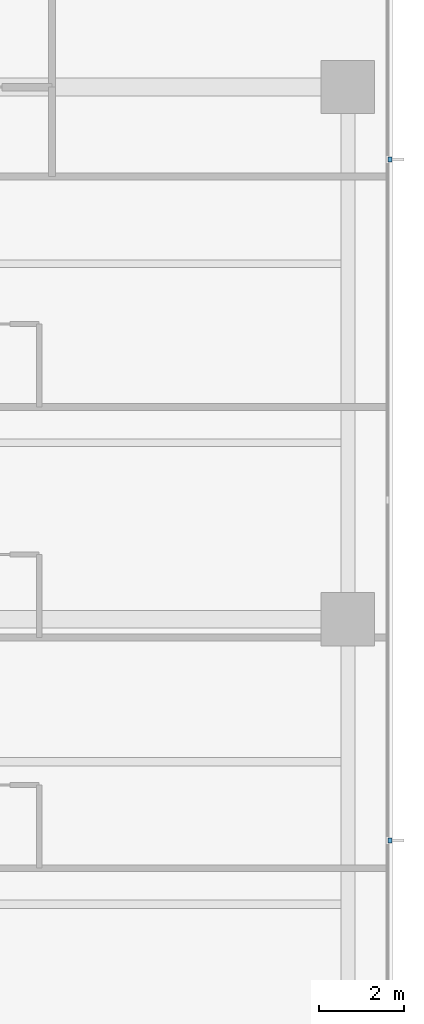
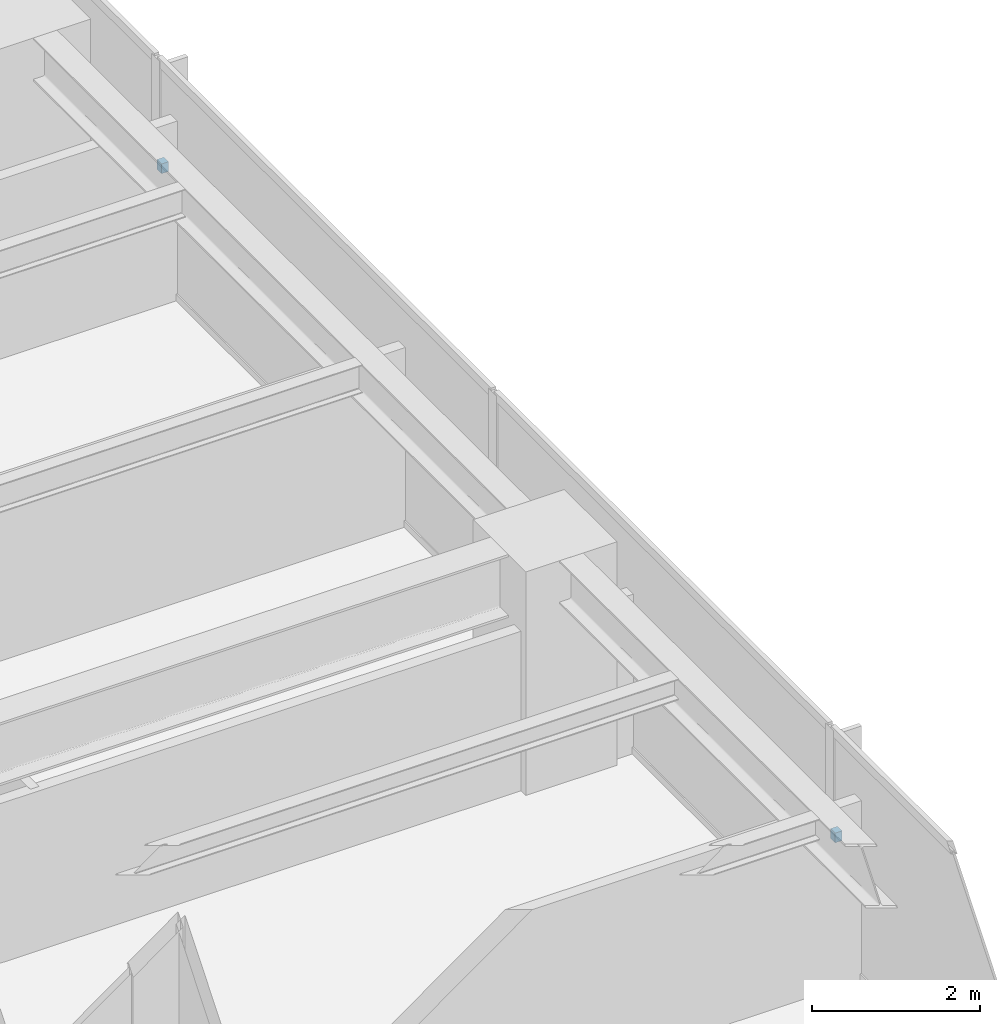
# One storey, part 14 of 17: 2 discrete accessories.
"""IFC4 building model written with IfcOpenShell, lengths in metres."""

from ifc_helpers import new_model, si_unit, direction, frame, origin, place, context, subcontext, project, spatial, polyline, outline, extrude, material, type_object, element, save


model = new_model("IFC4")

# Units and contexts
model_context = context("Model", 3, precision=1e-05, world=origin(), true_north=direction((0.0, 1.0)))
body_context = subcontext(model_context, "Body", "Model", "MODEL_VIEW")
ifc_project = project(units=[si_unit("LENGTHUNIT", "METRE"), si_unit("AREAUNIT", "SQUARE_METRE"), si_unit("VOLUMEUNIT", "CUBIC_METRE"), si_unit("PLANEANGLEUNIT", "RADIAN"), si_unit("MASSUNIT", "GRAM", prefix="KILO")], contexts=[model_context])

# Site, building, storey
site_placement = place(None, origin())
site = spatial("IfcSite", under=ifc_project, at=site_placement, CompositionType="ELEMENT")
building_placement = place(site_placement, origin())
building = spatial("IfcBuilding", under=site, at=building_placement, Name="Qalmaran Belvedere Hotel", CompositionType="ELEMENT")
storey_placement = place(building_placement, frame((0.0, 0.0, 109.199951171875)))
storey = spatial("IfcBuildingStorey", under=building, at=storey_placement, Name="L27", CompositionType="ELEMENT", Elevation=109.199951171875)

# Discrete accessories
ifc_material = material(Name="Stainless Steel 1.4401", Category="steel")
discrete_accessory_type = type_object("IfcDiscreteAccessoryType", Name="BRK-FIN-SS316", PredefinedType="BRACKET", material=ifc_material)
discrete_accessory_1_placement = place(storey_placement, frame((0.0, 0.0, 1.570068359375)))
element("IfcDiscreteAccessory", 1, at=discrete_accessory_1_placement, inside=storey, type_object=discrete_accessory_type, Name="L27 Fin Bracket 1", PredefinedType="BRACKET", context=body_context, shape_type="SweptSolid", body=[
    extrude(outline(polyline([(58.89501953125, 15.2451171875), (58.989990234375, 15.2451171875), (58.989990234375, 15.35498046875), (58.89501953125, 15.35498046875), (58.89501953125, 15.2451171875)])), origin(), (0.0, 0.0, 1.0), 0.139892578125),
])
discrete_accessory_2_placement = place(storey_placement, frame((0.0, 0.0, 1.570068359375)))
element("IfcDiscreteAccessory", 2, at=discrete_accessory_2_placement, inside=storey, type_object=discrete_accessory_type, Name="L27 Fin Bracket 3", PredefinedType="BRACKET", context=body_context, shape_type="SweptSolid", body=[
    extrude(outline(polyline([(58.89501953125, 31.2451171875), (58.989990234375, 31.2451171875), (58.989990234375, 31.35498046875), (58.89501953125, 31.35498046875), (58.89501953125, 31.2451171875)])), origin(), (0.0, 0.0, 1.0), 0.139892578125),
])

save(model, "model.ifc")
